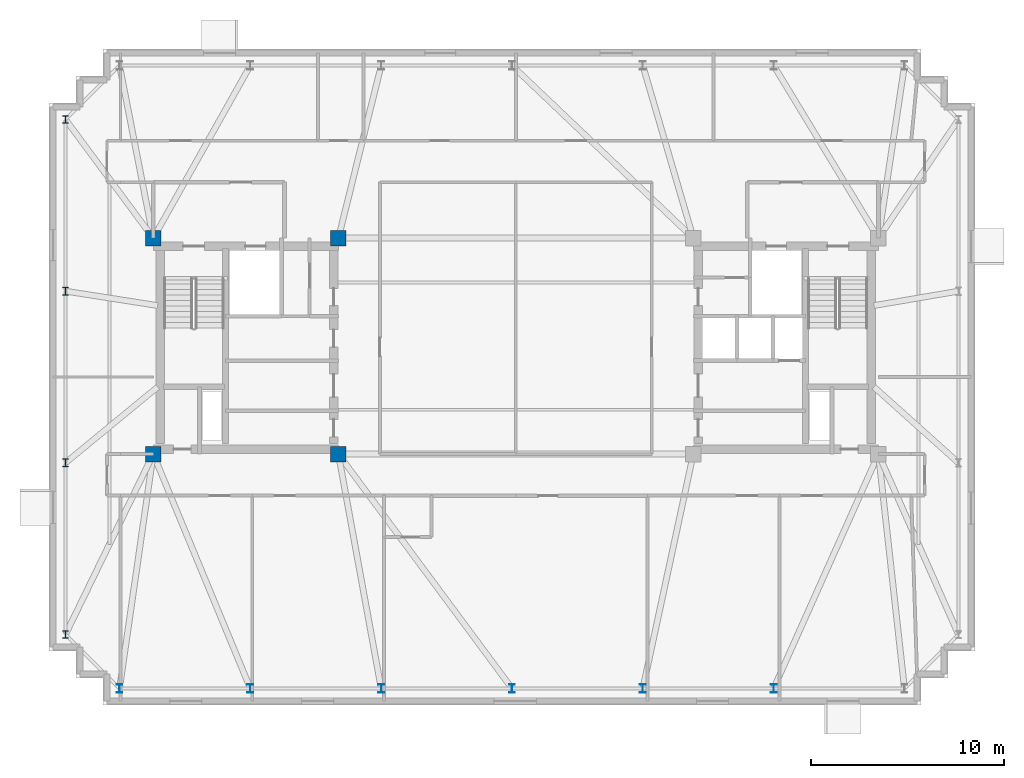
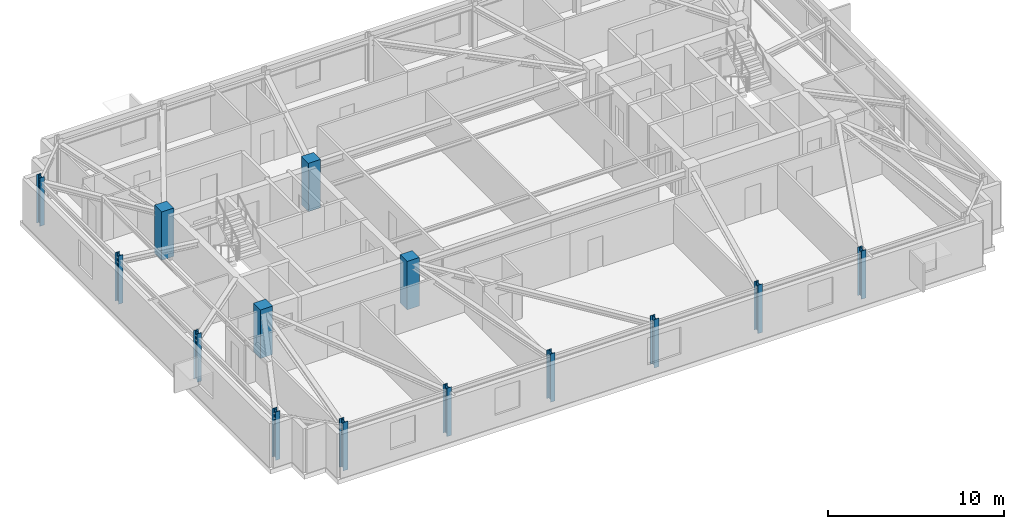
# One storey, part 1 of 10: 14 columns.
"""IFC4 building model written with IfcOpenShell, lengths in metres."""

from ifc_helpers import new_model, si_unit, direction, frame, origin, origin_2d, place, context, subcontext, project, spatial, rectangle, i_section, extrude, material, material_profile, profile_set, type_object, element, save


model = new_model("IFC4")

# Units and contexts
model_context = context("Model", 3, precision=1e-05, world=origin(), true_north=direction((0.0, 1.0)))
body_context = subcontext(model_context, "Body", "Model", "MODEL_VIEW")
ifc_project = project(units=[si_unit("LENGTHUNIT", "METRE"), si_unit("AREAUNIT", "SQUARE_METRE"), si_unit("VOLUMEUNIT", "CUBIC_METRE"), si_unit("PLANEANGLEUNIT", "RADIAN"), si_unit("MASSUNIT", "GRAM", prefix="KILO")], contexts=[model_context])

# Site, building, storey
site_placement = place(None, origin())
site = spatial("IfcSite", under=ifc_project, at=site_placement, CompositionType="ELEMENT")
building_placement = place(site_placement, origin())
building = spatial("IfcBuilding", under=site, at=building_placement, Name="Qobustan Lattice House", CompositionType="ELEMENT")
storey_placement = place(building_placement, frame((0.0, 0.0, 238.35009765625)))
storey = spatial("IfcBuildingStorey", under=building, at=storey_placement, Name="L67", CompositionType="ELEMENT", Elevation=238.35009765625)

# Columns
ifc_material_1 = material(Name="Concrete C50/60", Category="concrete")
ifc_material_profile_1 = material_profile(ifc_material_1, rectangle(XDim=0.800048828125, YDim=0.800048828125, at=origin_2d()), Name="RC800x800")
ifc_profile_set_1 = profile_set([ifc_material_profile_1], Name="Concrete C50/60")
column_type_1 = type_object("IfcColumnType", Name="COL-RC-800", PredefinedType="COLUMN", material=ifc_profile_set_1)
for number, where, z_axis, x_axis, name in (
    (1, (-18.800048828125, -5.60009765625, 0.0), (0.0, 0.0, 1.0), (1.0, 0.0, 0.0), "L67 core mega-column CW-SW"),
    (2, (-18.800048828125, 5.60009765625, 0.0), (0.0, 0.0, 1.0), (1.0, 0.0, 0.0), "L67 core mega-column CW-NW"),
    (3, (-9.199951171875, -5.60009765625, 0.0), (0.0, 0.0, 1.0), (1.0, 0.0, 0.0), "L67 core mega-column CW-SE"),
    (4, (-9.199951171875, 5.60009765625, 0.0), (0.0, 0.0, 1.0), (1.0, 0.0, 0.0), "L67 core mega-column CW-NE"),
):
    element("IfcColumn", number, at=place(storey_placement, frame(where, z_axis=z_axis, x_axis=x_axis)), inside=storey, type_object=column_type_1, Name=name, PredefinedType="COLUMN", context=body_context, shape_type="SweptSolid", body=[
        extrude(rectangle(XDim=0.800048828125, YDim=0.800048828125, at=origin_2d()), origin(), (0.0, 0.0, 1.0), 3.349853515625),
    ])
ifc_material_2 = material(Name="Steel S355", Category="steel")
ifc_material_profile_2 = material_profile(ifc_material_2, i_section(OverallWidth=0.300048828125, OverallDepth=0.39990234375, WebThickness=0.013427734375, FlangeThickness=0.02392578125, FilletRadius=0.027099609375, at=origin_2d()), Name="HEB400")
ifc_profile_set_2 = profile_set([ifc_material_profile_2], Name="Steel S355")
column_type_2 = type_object("IfcColumnType", Name="COL-ST-HEB400", PredefinedType="COLUMN", material=ifc_profile_set_2)
for number, where, z_axis, x_axis, name in (
    (5, (-23.35009765625, 11.75, 0.0), (0.0, 0.0, 1.0), (1.0, 0.0, 0.0), "L67 B5 perimeter column W1"),
    (6, (-23.35009765625, 2.85009765625, 0.0), (0.0, 0.0, 1.0), (1.0, 0.0, 0.0), "L67 B5 perimeter column W2"),
    (7, (-23.35009765625, -6.050048828125, 0.0), (0.0, 0.0, 1.0), (1.0, 0.0, 0.0), "L67 B5 perimeter column W3"),
    (8, (-23.35009765625, -14.949951171875, 0.0), (0.0, 0.0, 1.0), (1.0, 0.0, 0.0), "L67 B5 perimeter column W4"),
):
    element("IfcColumn", number, at=place(storey_placement, frame(where, z_axis=z_axis, x_axis=x_axis)), inside=storey, type_object=column_type_2, Name=name, PredefinedType="COLUMN", context=body_context, shape_type="SweptSolid", body=[
        extrude(i_section(OverallWidth=0.300048828125, OverallDepth=0.39990234375, WebThickness=0.013427734375, FlangeThickness=0.02392578125, FilletRadius=0.027099609375, at=origin_2d()), origin(), (0.0, 0.0, 1.0), 3.349853515625),
    ])
ifc_material_3 = material(Name="Steel S355", Category="steel")
ifc_material_profile_3 = material_profile(ifc_material_3, i_section(OverallWidth=0.300048828125, OverallDepth=0.449951171875, WebThickness=0.013916015625, FlangeThickness=0.02587890625, FilletRadius=0.027099609375, at=origin_2d()), Name="HEB450")
ifc_profile_set_3 = profile_set([ifc_material_profile_3], Name="Steel S355")
column_type_3 = type_object("IfcColumnType", Name="COL-ST-HEB450", PredefinedType="COLUMN", material=ifc_profile_set_3)
for number, where, z_axis, x_axis, name in (
    (9, (-20.550048828125, -17.75, 0.0), (0.0, 0.0, 1.0), (1.0, 0.0, 0.0), "L67 B5 perimeter column S1"),
    (10, (-13.7666015625, -17.75, 0.0), (0.0, 0.0, 1.0), (1.0, 0.0, 0.0), "L67 B5 perimeter column S2"),
    (11, (-6.9833984375, -17.75, 0.0), (0.0, 0.0, 1.0), (1.0, 0.0, 0.0), "L67 B5 perimeter column S3"),
    (12, (-0.199951171875, -17.75, 0.0), (0.0, 0.0, 1.0), (1.0, 0.0, 0.0), "L67 B5 perimeter column S4"),
    (13, (6.583251953125, -17.75, 0.0), (0.0, 0.0, 1.0), (1.0, 0.0, 0.0), "L67 B5 perimeter column S5"),
    (14, (13.36669921875, -17.75, 0.0), (0.0, 0.0, 1.0), (1.0, 0.0, 0.0), "L67 B5 perimeter column S6"),
):
    element("IfcColumn", number, at=place(storey_placement, frame(where, z_axis=z_axis, x_axis=x_axis)), inside=storey, type_object=column_type_3, Name=name, PredefinedType="COLUMN", context=body_context, shape_type="SweptSolid", body=[
        extrude(i_section(OverallWidth=0.300048828125, OverallDepth=0.449951171875, WebThickness=0.013916015625, FlangeThickness=0.02587890625, FilletRadius=0.027099609375, at=origin_2d()), origin(), (0.0, 0.0, 1.0), 3.349853515625),
    ])

save(model, "model.ifc")
